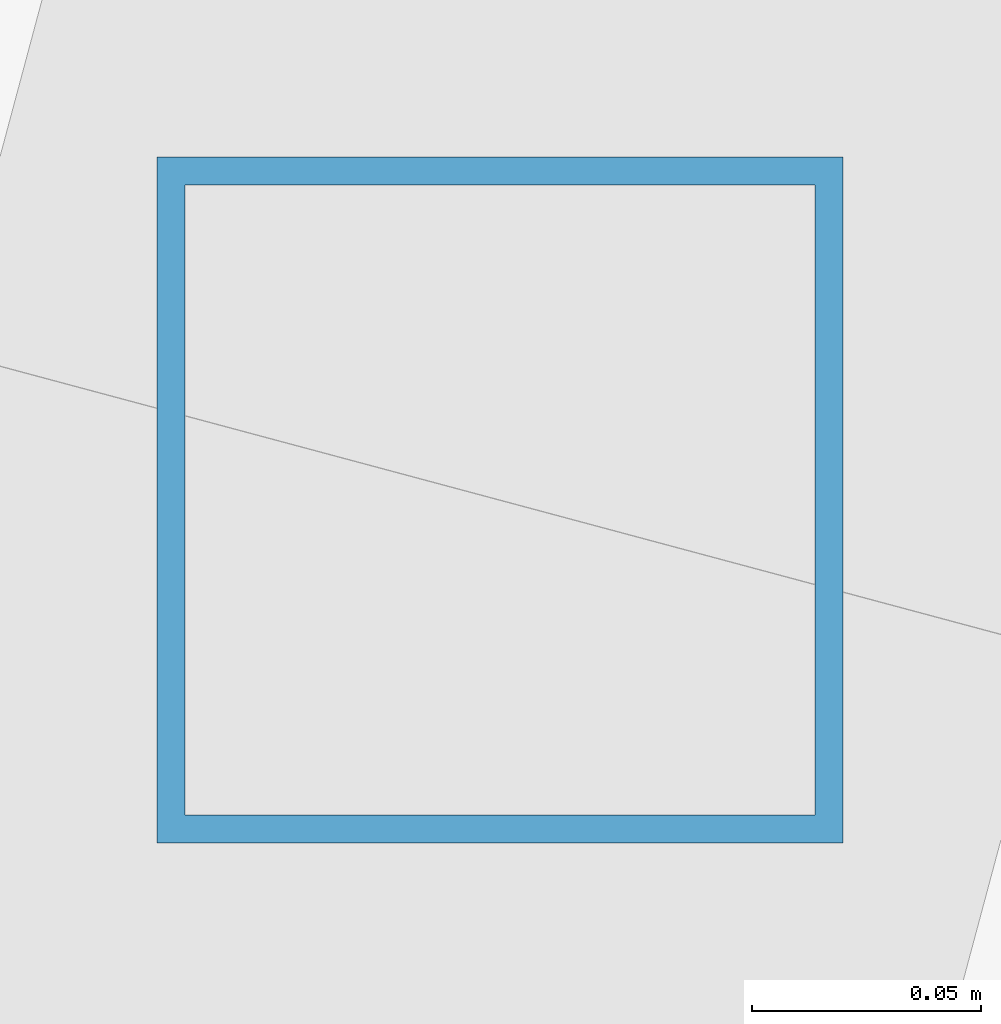
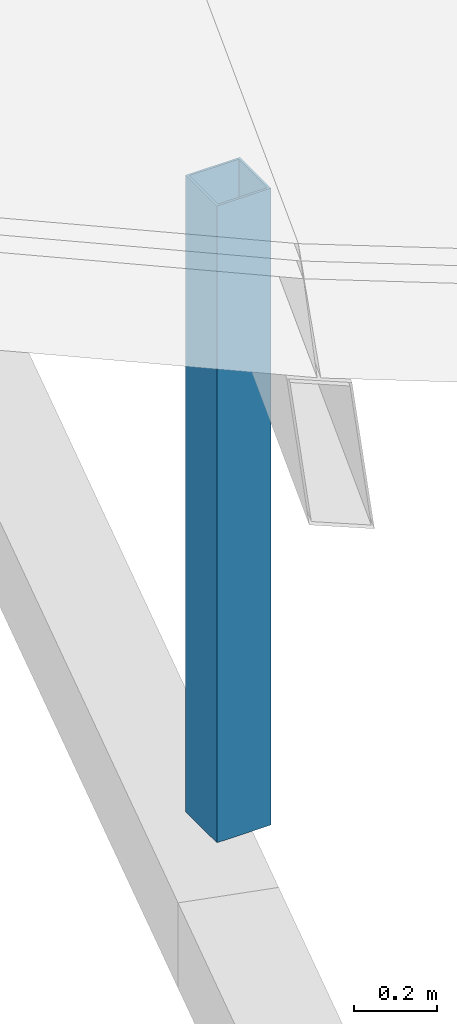
# One storey, part 22 of 70: 1 member.
"""IFC4 building model written with IfcOpenShell, lengths in metres."""

from ifc_helpers import new_model, si_unit, direction, frame, origin, origin_2d, place, context, subcontext, project, spatial, hollow_rectangle, extrude, material, material_profile, profile_set, type_object, element, save


model = new_model("IFC4")

# Units and contexts
model_context = context("Model", 3, precision=1e-05, world=origin(), true_north=direction((0.0, 1.0)))
body_context = subcontext(model_context, "Body", "Model", "MODEL_VIEW")
ifc_project = project(units=[si_unit("LENGTHUNIT", "METRE"), si_unit("AREAUNIT", "SQUARE_METRE"), si_unit("VOLUMEUNIT", "CUBIC_METRE"), si_unit("PLANEANGLEUNIT", "RADIAN"), si_unit("MASSUNIT", "GRAM", prefix="KILO")], contexts=[model_context])

# Site, building, storey
site_placement = place(None, origin())
site = spatial("IfcSite", under=ifc_project, at=site_placement, CompositionType="ELEMENT")
building_placement = place(site_placement, origin())
building = spatial("IfcBuilding", under=site, at=building_placement, Name="Vondelvale Polytechnic", CompositionType="ELEMENT")
storey_placement = place(building_placement, frame((0.0, 0.0, 22.199951171875)))
storey = spatial("IfcBuildingStorey", under=building, at=storey_placement, Name="L05", CompositionType="ELEMENT", Elevation=22.199951171875)

# Member
ifc_material = material(Name="Steel C350L0 (fy = 350 MPa)", Category="steel")
ifc_material_profile = material_profile(ifc_material, hollow_rectangle(XDim=0.14990234375, YDim=0.14990234375, WallThickness=0.006103515625, at=origin_2d()), Name="150x150x6.0SHS")
ifc_profile_set = profile_set([ifc_material_profile], Name="Steel C350L0 (fy = 350 MPa)")
member_type = type_object("IfcMemberType", Name="ROOF TRUSS POST 150SHS", PredefinedType="POST", material=ifc_profile_set)
member_placement = place(storey_placement, frame((111.576416015625, 107.7392578125, 0.0), z_axis=(0.0, 0.0, 1.0), x_axis=(1.0, 0.0, 0.0)))
element("IfcMember", 1, at=member_placement, inside=storey, type_object=member_type, Name="Ring mid roof post 05", PredefinedType="POST", context=body_context, shape_type="SweptSolid", body=[
    extrude(hollow_rectangle(XDim=0.14990234375, YDim=0.14990234375, WallThickness=0.006103515625, at=origin_2d()), origin(), (0.0, 0.0, 1.0), 1.86572265625),
])

save(model, "model.ifc")
